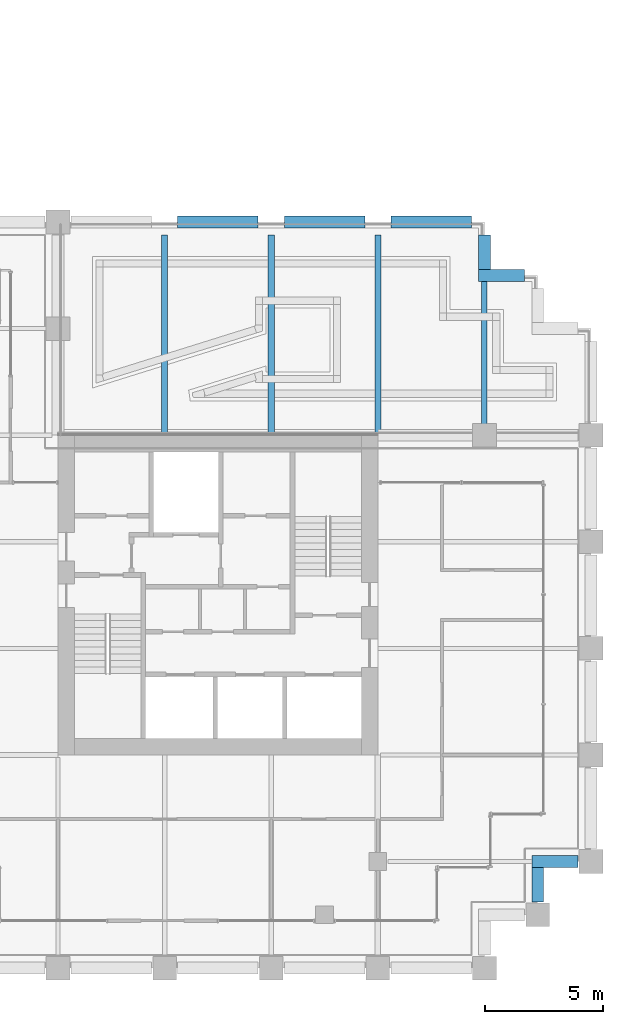
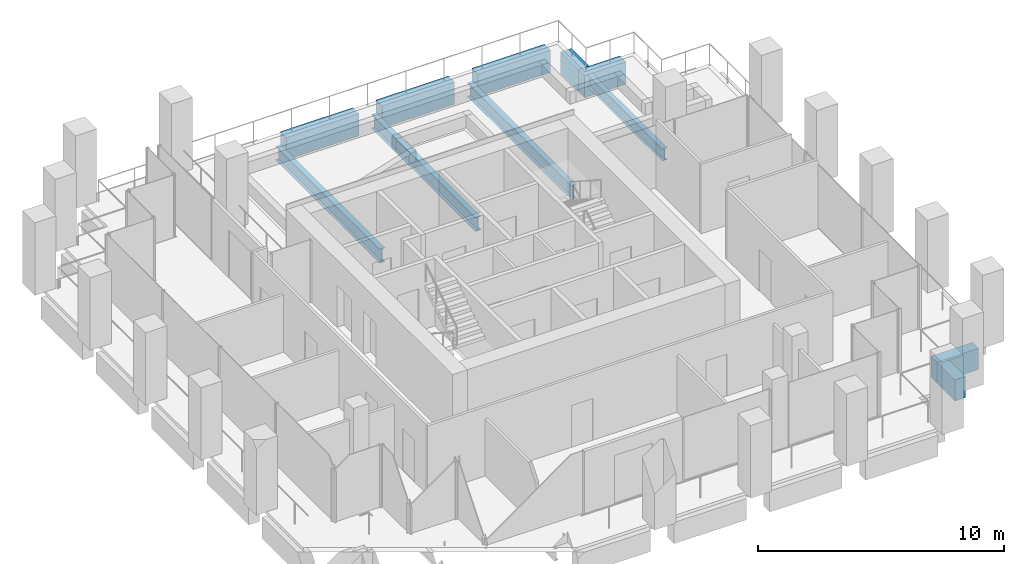
# One storey, part 40 of 52: 11 beams.
"""IFC4 building model written with IfcOpenShell, lengths in metres."""

from ifc_helpers import new_model, si_unit, direction, frame, origin, origin_2d, place, context, subcontext, project, spatial, rectangle, i_section, extrude, material, material_profile, profile_set, type_object, element, save


model = new_model("IFC4")

# Units and contexts
model_context = context("Model", 3, precision=1e-05, world=origin(), true_north=direction((0.0, 1.0)))
body_context = subcontext(model_context, "Body", "Model", "MODEL_VIEW")
ifc_project = project(units=[si_unit("LENGTHUNIT", "METRE"), si_unit("AREAUNIT", "SQUARE_METRE"), si_unit("VOLUMEUNIT", "CUBIC_METRE"), si_unit("PLANEANGLEUNIT", "RADIAN"), si_unit("MASSUNIT", "GRAM", prefix="KILO")], contexts=[model_context])

# Site, building, storey
site_placement = place(None, origin())
site = spatial("IfcSite", under=ifc_project, at=site_placement, CompositionType="ELEMENT")
building_placement = place(site_placement, origin())
building = spatial("IfcBuilding", under=site, at=building_placement, Name="Altepetl Exchange Towers", CompositionType="ELEMENT")
storey_placement = place(building_placement, frame((0.0, 0.0, 92.0)))
storey = spatial("IfcBuildingStorey", under=building, at=storey_placement, Name="L22", CompositionType="ELEMENT", Elevation=92.0)

# Beams
ifc_material_1 = material(Name="Steel S355", Category="steel")
ifc_material_profile_1 = material_profile(ifc_material_1, i_section(OverallWidth=0.22802734375, OverallDepth=0.60791015625, WebThickness=0.01123046875, FlangeThickness=0.017333984375, at=origin_2d()), Name="W24X76")
ifc_profile_set_1 = profile_set([ifc_material_profile_1], Name="Steel S355")
beam_type_1 = type_object("IfcBeamType", Name="Floor beam W24X76", PredefinedType="BEAM", material=ifc_profile_set_1)
beam_1_placement = place(storey_placement, frame((121.5, 49.925048828125, -0.4541015625), z_axis=(0.0, 1.0, 0.0), x_axis=(-1.0, 0.0, 0.0)))
element("IfcBeam", 1, at=beam_1_placement, inside=storey, type_object=beam_type_1, Name="bm:B:L22:t003", PredefinedType="BEAM", context=body_context, shape_type="SweptSolid", body=[
    extrude(i_section(OverallWidth=0.22802734375, OverallDepth=0.60791015625, WebThickness=0.01123046875, FlangeThickness=0.017333984375, at=origin_2d()), origin(), (0.0, 0.0, 1.0), 6.074951171875),
])
ifc_material_profile_2 = material_profile(ifc_material_1, i_section(OverallWidth=0.25390625, OverallDepth=0.68798828125, WebThickness=0.01318359375, FlangeThickness=0.02099609375, at=origin_2d()), Name="W27X102")
ifc_profile_set_2 = profile_set([ifc_material_profile_2], Name="Steel S355")
beam_type_2 = type_object("IfcBeamType", Name="Floor beam W27X102", PredefinedType="BEAM", material=ifc_profile_set_2)
for number, where, z_axis, x_axis, name in (
    (2, (108.0, 49.5, -0.493896484375), (0.0, 1.0, 0.0), (-1.0, 0.0, 0.0), "bm:B:L22:t000"),
    (3, (112.5, 49.5, -0.493896484375), (0.0, 1.0, 0.0), (-1.0, 0.0, 0.0), "bm:B:L22:t001"),
    (4, (117.0, 49.5, -0.493896484375), (0.0, 1.0, 0.0), (-1.0, 0.0, 0.0), "bm:B:L22:t002"),
):
    element("IfcBeam", number, at=place(storey_placement, frame(where, z_axis=z_axis, x_axis=x_axis)), inside=storey, type_object=beam_type_2, Name=name, PredefinedType="BEAM", context=body_context, shape_type="SweptSolid", body=[
        extrude(i_section(OverallWidth=0.25390625, OverallDepth=0.68798828125, WebThickness=0.01318359375, FlangeThickness=0.02099609375, at=origin_2d()), origin(), (0.0, 0.0, 1.0), 8.449951171875),
    ])
ifc_material_2 = material(Name="Concrete C50/60 precast with cantera blanca facing", Category="concrete")
ifc_material_profile_3 = material_profile(ifc_material_2, rectangle(XDim=0.5, YDim=1.050048828125, at=origin_2d()), Name="500 x 1050")
ifc_profile_set_3 = profile_set([ifc_material_profile_3], Name="Concrete C50/60 precast with cantera blanca facing")
beam_type_3 = type_object("IfcBeamType", Name="Spandrel beam 500x1050 cantera blanca", PredefinedType="SPANDREL", material=ifc_profile_set_3)
beam_2_placement = place(storey_placement, frame((123.75, 29.800048828125, -0.675048828125), z_axis=(0.0, 1.0, 0.0), x_axis=(-1.0, 0.0, 0.0)))
element("IfcBeam", 5, at=beam_2_placement, inside=storey, type_object=beam_type_3, Name="sp:B:L22:007", PredefinedType="SPANDREL", context=body_context, shape_type="SweptSolid", body=[
    extrude(rectangle(XDim=0.5, YDim=1.050048828125, at=origin_2d()), origin(), (0.0, 0.0, 1.0), 1.449951171875),
])
beam_3_placement = place(storey_placement, frame((123.5, 31.5, -0.675048828125), z_axis=(1.0, 0.0, 0.0), x_axis=(0.0, 1.0, 0.0)))
element("IfcBeam", 6, at=beam_3_placement, inside=storey, type_object=beam_type_3, Name="sp:B:L22:008", PredefinedType="SPANDREL", context=body_context, shape_type="SweptSolid", body=[
    extrude(rectangle(XDim=0.5, YDim=1.050048828125, at=origin_2d()), origin(), (0.0, 0.0, 1.0), 1.949951171875),
])
ifc_material_3 = material(Name="Concrete C50/60 precast with cantera amarilla facing", Category="concrete")
ifc_material_profile_4 = material_profile(ifc_material_3, rectangle(XDim=0.5, YDim=1.10009765625, at=origin_2d()), Name="500 x 1100")
ifc_profile_set_4 = profile_set([ifc_material_profile_4], Name="Concrete C50/60 precast with cantera amarilla facing")
beam_type_4 = type_object("IfcBeamType", Name="Spandrel beam 500x1100 cantera amarilla", PredefinedType="SPANDREL", material=ifc_profile_set_4)
beam_4_placement = place(storey_placement, frame((123.199951171875, 56.25, -0.699951171875), z_axis=(-1.0, 0.0, 0.0), x_axis=(0.0, -1.0, 0.0)))
element("IfcBeam", 7, at=beam_4_placement, inside=storey, type_object=beam_type_4, Name="sp:B:L22:t003", PredefinedType="SPANDREL", context=body_context, shape_type="SweptSolid", body=[
    extrude(rectangle(XDim=0.5, YDim=1.10009765625, at=origin_2d()), origin(), (0.0, 0.0, 1.0), 1.949951171875),
])
beam_5_placement = place(storey_placement, frame((121.5, 56.5, -0.699951171875), z_axis=(0.0, 1.0, 0.0), x_axis=(-1.0, 0.0, 0.0)))
element("IfcBeam", 8, at=beam_5_placement, inside=storey, type_object=beam_type_4, Name="sp:B:L22:t004", PredefinedType="SPANDREL", context=body_context, shape_type="SweptSolid", body=[
    extrude(rectangle(XDim=0.5, YDim=1.10009765625, at=origin_2d()), origin(), (0.0, 0.0, 1.0), 1.449951171875),
])
for number, where, z_axis, x_axis, name in (
    (9, (120.949951171875, 58.5, -0.699951171875), (-1.0, 0.0, 0.0), (0.0, -1.0, 0.0), "sp:B:L22:t005"),
    (10, (116.449951171875, 58.5, -0.699951171875), (-1.0, 0.0, 0.0), (0.0, -1.0, 0.0), "sp:B:L22:t006"),
    (11, (111.949951171875, 58.5, -0.699951171875), (-1.0, 0.0, 0.0), (0.0, -1.0, 0.0), "sp:B:L22:t007"),
):
    element("IfcBeam", number, at=place(storey_placement, frame(where, z_axis=z_axis, x_axis=x_axis)), inside=storey, type_object=beam_type_4, Name=name, PredefinedType="SPANDREL", context=body_context, shape_type="SweptSolid", body=[
        extrude(rectangle(XDim=0.5, YDim=1.10009765625, at=origin_2d()), origin(), (0.0, 0.0, 1.0), 3.39990234375),
    ])

save(model, "model.ifc")
